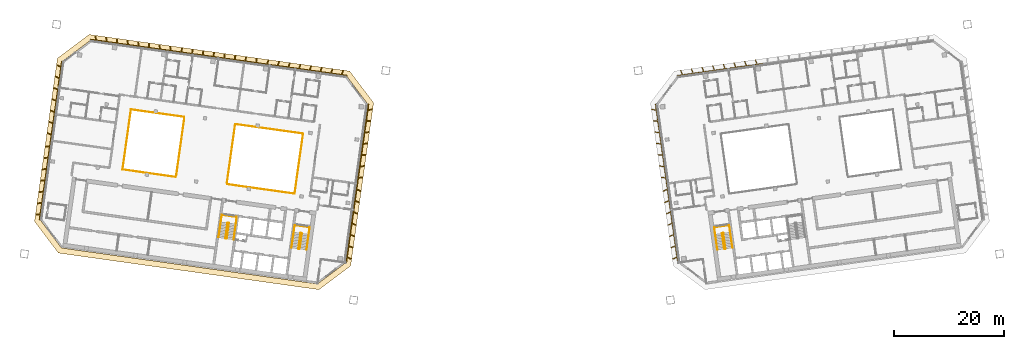
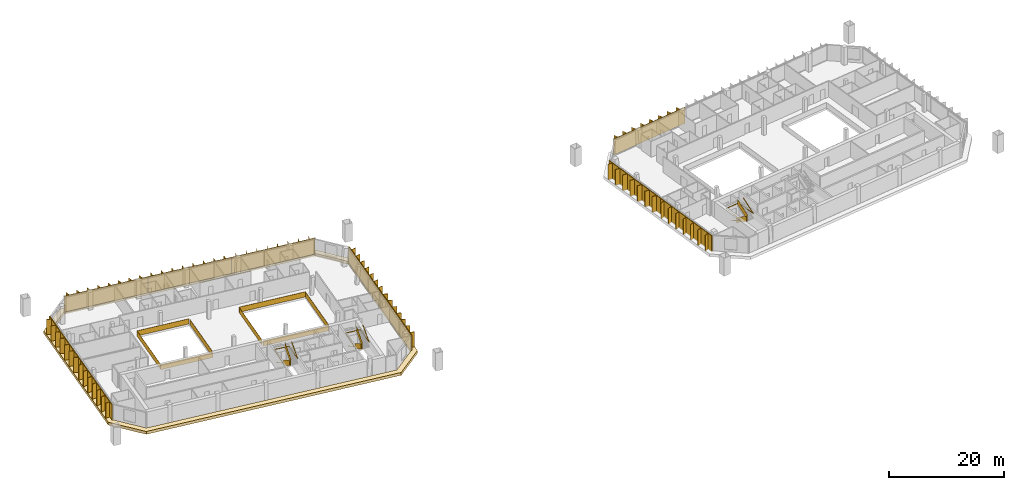
# One storey, part 21 of 22: 10 railings, 10 shading devices, 1 covering.
"""IFC4 building model written with IfcOpenShell, lengths in metres."""

from ifc_helpers import new_model, si_unit, direction, frame, origin, origin_2d, place, context, subcontext, project, spatial, polyline, rectangle, outline, extrude, material, layer, layer_set, type_object, element, save


model = new_model("IFC4")

# Units and contexts
model_context = context("Model", 3, precision=1e-05, world=origin(), true_north=direction((0.0, 1.0)))
body_context = subcontext(model_context, "Body", "Model", "MODEL_VIEW")
ifc_project = project(units=[si_unit("LENGTHUNIT", "METRE"), si_unit("AREAUNIT", "SQUARE_METRE"), si_unit("VOLUMEUNIT", "CUBIC_METRE"), si_unit("PLANEANGLEUNIT", "RADIAN"), si_unit("MASSUNIT", "GRAM", prefix="KILO")], contexts=[model_context])

# Site, building, storey
site_placement = place(None, origin())
site = spatial("IfcSite", under=ifc_project, at=site_placement, CompositionType="ELEMENT")
building_placement = place(site_placement, origin())
building = spatial("IfcBuilding", under=site, at=building_placement, Name="Mirante Cascada Hotel Towers", CompositionType="ELEMENT")
storey_placement = place(building_placement, frame((0.0, 0.0, 191.6)))
storey = spatial("IfcBuildingStorey", under=building, at=storey_placement, Name="L45", CompositionType="ELEMENT", Elevation=191.6)

# Railings
ifc_material_1 = material(Name="Toughened glass with stainless steel handrail", Category="steel")
railing_type_1 = type_object("IfcRailingType", Name="Atrium guard 1100 glass balustrade", PredefinedType="GUARDRAIL", material=ifc_material_1)
railing_1_placement = place(storey_placement, frame((-50.1128, 8.5014, 0.0)))
element("IfcRailing", 1, at=railing_1_placement, inside=storey, type_object=railing_type_1, Name="GUARD 1-L45-1", PredefinedType="GUARDRAIL", context=body_context, shape_type="SweptSolid", body=[
    extrude(rectangle(XDim=0.048, YDim=0.048, at=origin_2d()), frame((0.0, 0.0, 1.076), z_axis=(0.9902677, -0.139176, 0.0), x_axis=(0.139176, 0.9902677, 0.0)), (0.0, 0.0, 1.0), 12.3786),
    extrude(rectangle(XDim=0.02, YDim=1.052, at=origin_2d()), frame((0.0, 0.0, 0.526), z_axis=(0.9902677, -0.139176, 0.0), x_axis=(0.139176, 0.9902677, 0.0)), (0.0, 0.0, 1.0), 12.3786),
    extrude(rectangle(XDim=0.048, YDim=0.048, at=origin_2d()), frame((12.2581, -1.7228, 1.076), z_axis=(-0.1391721, -0.9902682, 0.0), x_axis=(0.9902682, -0.1391721, 0.0)), (0.0, 0.0, 1.0), 11.0001),
    extrude(rectangle(XDim=0.02, YDim=1.052, at=origin_2d()), frame((12.2581, -1.7228, 0.526), z_axis=(-0.1391721, -0.9902682, 0.0), x_axis=(0.9902682, -0.1391721, 0.0)), (0.0, 0.0, 1.0), 11.0001),
    extrude(rectangle(XDim=0.048, YDim=0.048, at=origin_2d()), frame((10.7272, -12.6158, 1.076), z_axis=(-0.9902677, 0.139176, 0.0), x_axis=(-0.139176, -0.9902677, 0.0)), (0.0, 0.0, 1.0), 12.3786),
    extrude(rectangle(XDim=0.02, YDim=1.052, at=origin_2d()), frame((10.7272, -12.6158, 0.526), z_axis=(-0.9902677, 0.139176, 0.0), x_axis=(-0.139176, -0.9902677, 0.0)), (0.0, 0.0, 1.0), 12.3786),
])
railing_2_placement = place(storey_placement, frame((-60.9263, -1.087, 0.0)))
element("IfcRailing", 2, at=railing_2_placement, inside=storey, type_object=railing_type_1, Name="GUARD 1-L45-2", PredefinedType="GUARDRAIL", context=body_context, shape_type="SweptSolid", body=[
    extrude(rectangle(XDim=0.048, YDim=0.048, at=origin_2d()), frame((0.0, 0.0, 1.076), z_axis=(-0.990268, 0.1391733, 0.0), x_axis=(-0.1391733, -0.990268, 0.0)), (0.0, 0.0, 1.0), 9.7476),
    extrude(rectangle(XDim=0.02, YDim=1.052, at=origin_2d()), frame((0.0, 0.0, 0.526), z_axis=(-0.990268, 0.1391733, 0.0), x_axis=(-0.1391733, -0.990268, 0.0)), (0.0, 0.0, 1.0), 9.7476),
    extrude(rectangle(XDim=0.048, YDim=0.048, at=origin_2d()), frame((-9.6527, 1.3566, 1.076), z_axis=(0.1391733, 0.990268, 0.0), x_axis=(-0.990268, 0.1391733, 0.0)), (0.0, 0.0, 1.0), 11.0),
    extrude(rectangle(XDim=0.02, YDim=1.052, at=origin_2d()), frame((-9.6527, 1.3566, 0.526), z_axis=(0.1391733, 0.990268, 0.0), x_axis=(-0.990268, 0.1391733, 0.0)), (0.0, 0.0, 1.0), 11.0),
    extrude(rectangle(XDim=0.048, YDim=0.048, at=origin_2d()), frame((-8.1218, 12.2495, 1.076), z_axis=(0.990268, -0.1391733, 0.0), x_axis=(0.1391733, 0.990268, 0.0)), (0.0, 0.0, 1.0), 9.7476),
    extrude(rectangle(XDim=0.02, YDim=1.052, at=origin_2d()), frame((-8.1218, 12.2495, 0.526), z_axis=(0.990268, -0.1391733, 0.0), x_axis=(0.1391733, 0.990268, 0.0)), (0.0, 0.0, 1.0), 9.7476),
])
railing_3_placement = place(storey_placement, frame((-60.8366, -0.801, 0.0)))
element("IfcRailing", 3, at=railing_3_placement, inside=storey, type_object=railing_type_1, Name="GUARD 1-L45-3", PredefinedType="GUARDRAIL", context=body_context, shape_type="SweptSolid", body=[
    extrude(rectangle(XDim=0.048, YDim=0.048, at=origin_2d()), frame((0.0, 0.0, 1.076), z_axis=(0.1391734, 0.990268, 0.0), x_axis=(-0.990268, 0.1391734, 0.0)), (0.0, 0.0, 1.0), 10.4086),
    extrude(rectangle(XDim=0.02, YDim=1.052, at=origin_2d()), frame((0.0, 0.0, 0.526), z_axis=(0.1391734, 0.990268, 0.0), x_axis=(-0.990268, 0.1391734, 0.0)), (0.0, 0.0, 1.0), 10.4086),
])
railing_4_placement = place(storey_placement, frame((-50.2025, 8.2154, 0.0)))
element("IfcRailing", 4, at=railing_4_placement, inside=storey, type_object=railing_type_1, Name="GUARD 1-L45-4", PredefinedType="GUARDRAIL", context=body_context, shape_type="SweptSolid", body=[
    extrude(rectangle(XDim=0.048, YDim=0.048, at=origin_2d()), frame((0.0, 0.0, 1.076), z_axis=(-0.1391721, -0.9902682, 0.0), x_axis=(0.9902682, -0.1391721, 0.0)), (0.0, 0.0, 1.0), 10.4087),
    extrude(rectangle(XDim=0.02, YDim=1.052, at=origin_2d()), frame((0.0, 0.0, 0.526), z_axis=(-0.1391721, -0.9902682, 0.0), x_axis=(0.9902682, -0.1391721, 0.0)), (0.0, 0.0, 1.0), 10.4087),
])

# Covering
ifc_material_2 = material(Name="Precast concrete C40/50 white", Category="concrete")
ifc_layer = layer(ifc_material_2, 0.6)
ifc_layer_set = layer_set([ifc_layer], Name="Precast concrete SUNSHADE band 1000x600")
covering_type = type_object("IfcCoveringType", Name="Precast concrete SUNSHADE band 1000x600", PredefinedType="CLADDING", material=ifc_layer_set)
covering_placement = place(storey_placement, frame((0.0, 0.0, -0.45)))
element("IfcCovering", 5, at=covering_placement, inside=storey, type_object=covering_type, Name="Precast concrete SUNSHADE band T1 L45", PredefinedType="CLADDING", context=body_context, shape_type="SweptSolid", body=[
    extrude(outline(polyline([(-86.5404, -9.1145), (-82.3891, 20.4236), (-76.645, 24.7521), (-29.4117, 18.1139), (-25.0832, 12.3698), (-29.2345, -17.1684), (-34.9786, -21.4969), (-82.2119, -14.8586), (-86.5404, -9.1145)]), holes=[polyline([(-26.1311, 12.0988), (-29.961, 17.1812), (-76.374, 23.7042), (-81.4565, 19.8742), (-85.4925, -8.8435), (-81.6626, -13.926), (-35.2496, -20.4489), (-30.1671, -16.619), (-26.1311, 12.0988)])]), origin(), (0.0, 0.0, 1.0), 0.6),
])

# Railings
ifc_material_3 = material(Name="Painted steel", Category="steel")
railing_type_2 = type_object("IfcRailingType", Name="Stair guard 1100 steel balustrade", PredefinedType="GUARDRAIL", material=ifc_material_3)
railing_5_placement = place(storey_placement, frame((-38.1178, -11.2603, 0.0)))
element("IfcRailing", 6, at=railing_5_placement, inside=storey, type_object=railing_type_2, Name="L45 ST1-A stair guard 1", PredefinedType="GUARDRAIL", context=body_context, shape_type="SweptSolid", body=[
    extrude(rectangle(XDim=0.048, YDim=0.048, at=origin_2d()), frame((0.0, 0.0, 1.076), z_axis=(-0.9903326, 0.1387133, 0.0), x_axis=(-0.1387133, -0.9903326, 0.0)), (0.0, 0.0, 1.0), 0.1499),
    extrude(rectangle(XDim=0.02, YDim=1.052, at=origin_2d()), frame((0.0, 0.0, 0.526), z_axis=(-0.9903326, 0.1387133, 0.0), x_axis=(-0.1387133, -0.9903326, 0.0)), (0.0, 0.0, 1.0), 0.1499),
    extrude(rectangle(XDim=0.048, YDim=0.048, at=origin_2d()), frame((-0.1485, 0.0208, 1.076), z_axis=(-0.7991505, -0.6011309, 0.0), x_axis=(0.6011309, -0.7991505, 0.0)), (0.0, 0.9254529, 0.3788627), 0.1866),
    extrude(rectangle(XDim=0.02, YDim=1.052, at=origin_2d()), frame((-0.1485, 0.0208, 0.526), z_axis=(-0.7991505, -0.6011309, 0.0), x_axis=(0.6011309, -0.7991505, 0.0)), (0.0, 0.9254529, 0.3788627), 0.1866),
    extrude(rectangle(XDim=0.048, YDim=0.048, at=origin_2d()), frame((-0.205, -0.0217, 1.2487), z_axis=(-0.139176, -0.9902677, 0.0), x_axis=(0.9902677, -0.139176, 0.0)), (0.0, 0.5250212, 0.8510891), 3.29),
    extrude(rectangle(XDim=0.02, YDim=1.052, at=origin_2d()), frame((-0.205, -0.0217, 0.6987), z_axis=(-0.139176, -0.9902677, 0.0), x_axis=(0.9902677, -0.139176, 0.0)), (0.0, 0.5250212, 0.8510891), 3.29),
    extrude(rectangle(XDim=0.048, YDim=0.048, at=origin_2d()), frame((-0.5947, -2.7945, 2.976), z_axis=(0.9270311, -0.3749843, 0.0), x_axis=(0.3749843, 0.9270311, 0.0)), (0.0, 0.0, 1.0), 0.2061),
    extrude(rectangle(XDim=0.02, YDim=1.052, at=origin_2d()), frame((-0.5947, -2.7945, 2.426), z_axis=(0.9270311, -0.3749843, 0.0), x_axis=(0.3749843, 0.9270311, 0.0)), (0.0, 0.0, 1.0), 0.2061),
    extrude(rectangle(XDim=0.048, YDim=0.048, at=origin_2d()), frame((-0.4036, -2.8718, 2.976), z_axis=(-0.9902408, 0.1393672, 0.0), x_axis=(-0.1393672, -0.9902408, 0.0)), (0.0, 0.0, 1.0), 0.15),
    extrude(rectangle(XDim=0.02, YDim=1.052, at=origin_2d()), frame((-0.4036, -2.8718, 2.426), z_axis=(-0.9902408, 0.1393672, 0.0), x_axis=(-0.1393672, -0.9902408, 0.0)), (0.0, 0.0, 1.0), 0.15),
    extrude(rectangle(XDim=0.048, YDim=0.048, at=origin_2d()), frame((-0.5521, -2.8509, 2.976), z_axis=(0.9944948, 0.1047858, 0.0), x_axis=(-0.1047858, 0.9944948, 0.0)), (0.0, 0.6422034, 0.7665343), 0.2689),
    extrude(rectangle(XDim=0.02, YDim=1.052, at=origin_2d()), frame((-0.5521, -2.8509, 2.426), z_axis=(0.9944948, 0.1047858, 0.0), x_axis=(-0.1047858, 0.9944948, 0.0)), (0.0, 0.6422034, 0.7665343), 0.2689),
    extrude(rectangle(XDim=0.048, YDim=0.048, at=origin_2d()), frame((-0.3471, -2.8293, 3.1487), z_axis=(0.139176, 0.9902677, 0.0), x_axis=(-0.9902677, 0.139176, 0.0)), (0.0, 0.5250212, 0.8510891), 3.29),
    extrude(rectangle(XDim=0.02, YDim=1.052, at=origin_2d()), frame((-0.3471, -2.8293, 2.5987), z_axis=(0.139176, 0.9902677, 0.0), x_axis=(-0.9902677, 0.139176, 0.0)), (0.0, 0.5250212, 0.8510891), 3.29),
])
railing_6_placement = place(storey_placement, frame((-51.3379, -9.4024, 0.0)))
element("IfcRailing", 7, at=railing_6_placement, inside=storey, type_object=railing_type_2, Name="L45 ST1-B stair guard 1", PredefinedType="GUARDRAIL", context=body_context, shape_type="SweptSolid", body=[
    extrude(rectangle(XDim=0.048, YDim=0.048, at=origin_2d()), frame((0.0, 0.0, 1.076), z_axis=(-0.9902408, 0.1393672, 0.0), x_axis=(-0.1393672, -0.9902408, 0.0)), (0.0, 0.0, 1.0), 0.15),
    extrude(rectangle(XDim=0.02, YDim=1.052, at=origin_2d()), frame((0.0, 0.0, 0.526), z_axis=(-0.9902408, 0.1393672, 0.0), x_axis=(-0.1393672, -0.9902408, 0.0)), (0.0, 0.0, 1.0), 0.15),
    extrude(rectangle(XDim=0.048, YDim=0.048, at=origin_2d()), frame((-0.1485, 0.0209, 1.076), z_axis=(-0.7984711, -0.6020331, 0.0), x_axis=(0.6020331, -0.7984711, 0.0)), (0.0, 0.9253398, 0.3791387), 0.1866),
    extrude(rectangle(XDim=0.02, YDim=1.052, at=origin_2d()), frame((-0.1485, 0.0209, 0.526), z_axis=(-0.7984711, -0.6020331, 0.0), x_axis=(0.6020331, -0.7984711, 0.0)), (0.0, 0.9253398, 0.3791387), 0.1866),
    extrude(rectangle(XDim=0.048, YDim=0.048, at=origin_2d()), frame((-0.205, -0.0217, 1.2487), z_axis=(-0.139181, -0.990267, 0.0), x_axis=(0.990267, -0.139181, 0.0)), (0.0, 0.5250347, 0.8510808), 3.2899),
    extrude(rectangle(XDim=0.02, YDim=1.052, at=origin_2d()), frame((-0.205, -0.0217, 0.6987), z_axis=(-0.139181, -0.990267, 0.0), x_axis=(0.990267, -0.139181, 0.0)), (0.0, 0.5250347, 0.8510808), 3.2899),
    extrude(rectangle(XDim=0.048, YDim=0.048, at=origin_2d()), frame((-0.5947, -2.7944, 2.976), z_axis=(0.9268624, -0.3754011, 0.0), x_axis=(0.3754011, 0.9268624, 0.0)), (0.0, 0.0, 1.0), 0.2062),
    extrude(rectangle(XDim=0.02, YDim=1.052, at=origin_2d()), frame((-0.5947, -2.7944, 2.426), z_axis=(0.9268624, -0.3754011, 0.0), x_axis=(0.3754011, 0.9268624, 0.0)), (0.0, 0.0, 1.0), 0.2062),
    extrude(rectangle(XDim=0.048, YDim=0.048, at=origin_2d()), frame((-0.4036, -2.8718, 2.976), z_axis=(-0.9902408, 0.1393672, 0.0), x_axis=(-0.1393672, -0.9902408, 0.0)), (0.0, 0.0, 1.0), 0.15),
    extrude(rectangle(XDim=0.02, YDim=1.052, at=origin_2d()), frame((-0.4036, -2.8718, 2.426), z_axis=(-0.9902408, 0.1393672, 0.0), x_axis=(-0.1393672, -0.9902408, 0.0)), (0.0, 0.0, 1.0), 0.15),
    extrude(rectangle(XDim=0.048, YDim=0.048, at=origin_2d()), frame((-0.5521, -2.8509, 2.976), z_axis=(0.9944441, 0.1052656, 0.0), x_axis=(-0.1052656, 0.9944441, 0.0)), (0.0, 0.6421842, 0.7665504), 0.2689),
    extrude(rectangle(XDim=0.02, YDim=1.052, at=origin_2d()), frame((-0.5521, -2.8509, 2.426), z_axis=(0.9944441, 0.1052656, 0.0), x_axis=(-0.1052656, 0.9944441, 0.0)), (0.0, 0.6421842, 0.7665504), 0.2689),
    extrude(rectangle(XDim=0.048, YDim=0.048, at=origin_2d()), frame((-0.3471, -2.8292, 3.1487), z_axis=(0.139181, 0.990267, 0.0), x_axis=(-0.990267, 0.139181, 0.0)), (0.0, 0.5250347, 0.8510808), 3.2899),
    extrude(rectangle(XDim=0.02, YDim=1.052, at=origin_2d()), frame((-0.3471, -2.8292, 2.5987), z_axis=(0.139181, 0.990267, 0.0), x_axis=(-0.990267, 0.139181, 0.0)), (0.0, 0.5250347, 0.8510808), 3.2899),
])
railing_7_placement = place(storey_placement, frame((38.2663, -11.2395, 0.0)))
element("IfcRailing", 8, at=railing_7_placement, inside=storey, type_object=railing_type_2, Name="L45 ST2-A stair guard 1", PredefinedType="GUARDRAIL", context=body_context, shape_type="SweptSolid", body=[
    extrude(rectangle(XDim=0.048, YDim=0.048, at=origin_2d()), frame((0.0, 0.0, 1.076), z_axis=(-0.9903326, -0.1387133, 0.0), x_axis=(0.1387133, -0.9903326, 0.0)), (0.0, 0.0, 1.0), 0.1499),
    extrude(rectangle(XDim=0.02, YDim=1.052, at=origin_2d()), frame((0.0, 0.0, 0.526), z_axis=(-0.9903326, -0.1387133, 0.0), x_axis=(0.1387133, -0.9903326, 0.0)), (0.0, 0.0, 1.0), 0.1499),
    extrude(rectangle(XDim=0.048, YDim=0.048, at=origin_2d()), frame((-0.1485, -0.0208, 1.076), z_axis=(-0.6020331, -0.7984711, 0.0), x_axis=(0.7984711, -0.6020331, 0.0)), (0.0, 0.9253398, 0.3791387), 0.1866),
    extrude(rectangle(XDim=0.02, YDim=1.052, at=origin_2d()), frame((-0.1485, -0.0208, 0.526), z_axis=(-0.6020331, -0.7984711, 0.0), x_axis=(0.7984711, -0.6020331, 0.0)), (0.0, 0.9253398, 0.3791387), 0.1866),
    extrude(rectangle(XDim=0.048, YDim=0.048, at=origin_2d()), frame((-0.1911, -0.0773, 1.2487), z_axis=(0.139176, -0.9902677, 0.0), x_axis=(0.9902677, 0.139176, 0.0)), (0.0, 0.5250212, 0.8510891), 3.29),
    extrude(rectangle(XDim=0.02, YDim=1.052, at=origin_2d()), frame((-0.1911, -0.0773, 0.6987), z_axis=(0.139176, -0.9902677, 0.0), x_axis=(0.9902677, 0.139176, 0.0)), (0.0, 0.5250212, 0.8510891), 3.29),
    extrude(rectangle(XDim=0.048, YDim=0.048, at=origin_2d()), frame((0.1986, -2.8501, 2.976), z_axis=(0.9944948, -0.1047858, 0.0), x_axis=(0.1047858, 0.9944948, 0.0)), (0.0, 0.0, 1.0), 0.2061),
    extrude(rectangle(XDim=0.02, YDim=1.052, at=origin_2d()), frame((0.1986, -2.8501, 2.426), z_axis=(0.9944948, -0.1047858, 0.0), x_axis=(0.1047858, 0.9944948, 0.0)), (0.0, 0.0, 1.0), 0.2061),
    extrude(rectangle(XDim=0.048, YDim=0.048, at=origin_2d()), frame((0.4036, -2.8717, 2.976), z_axis=(-0.9902408, -0.1393672, 0.0), x_axis=(0.1393672, -0.9902408, 0.0)), (0.0, 0.0, 1.0), 0.15),
    extrude(rectangle(XDim=0.02, YDim=1.052, at=origin_2d()), frame((0.4036, -2.8717, 2.426), z_axis=(-0.9902408, -0.1393672, 0.0), x_axis=(0.1393672, -0.9902408, 0.0)), (0.0, 0.0, 1.0), 0.15),
    extrude(rectangle(XDim=0.048, YDim=0.048, at=origin_2d()), frame((0.2551, -2.8926, 2.976), z_axis=(0.9270311, 0.3749843, 0.0), x_axis=(-0.3749843, 0.9270311, 0.0)), (0.0, 0.6421903, 0.7665452), 0.2689),
    extrude(rectangle(XDim=0.02, YDim=1.052, at=origin_2d()), frame((0.2551, -2.8926, 2.426), z_axis=(0.9270311, 0.3749843, 0.0), x_axis=(-0.3749843, 0.9270311, 0.0)), (0.0, 0.6421903, 0.7665452), 0.2689),
    extrude(rectangle(XDim=0.048, YDim=0.048, at=origin_2d()), frame((0.4462, -2.8153, 3.1487), z_axis=(-0.139176, 0.9902677, 0.0), x_axis=(-0.9902677, -0.139176, 0.0)), (0.0, 0.5250212, 0.8510891), 3.29),
    extrude(rectangle(XDim=0.02, YDim=1.052, at=origin_2d()), frame((0.4462, -2.8153, 2.5987), z_axis=(-0.139176, 0.9902677, 0.0), x_axis=(-0.9902677, -0.139176, 0.0)), (0.0, 0.5250212, 0.8510891), 3.29),
])
ifc_material_4 = material(Name="Painted steel", Category="steel")
railing_type_3 = type_object("IfcRailingType", Name="Stair handrail 900 steel tube", PredefinedType="HANDRAIL", material=ifc_material_4)
railing_8_placement = place(storey_placement, frame((-39.5606, -11.1081, 0.1727)))
element("IfcRailing", 9, at=railing_8_placement, inside=storey, type_object=railing_type_3, Name="L45 ST1-A stair handrail 1", PredefinedType="HANDRAIL", context=body_context, shape_type="SweptSolid", body=[
    extrude(rectangle(XDim=0.048, YDim=0.048, at=origin_2d()), frame((0.0, 0.0, 0.876), z_axis=(-0.139181, -0.990267, 0.0), x_axis=(0.990267, -0.139181, 0.0)), (0.0, 0.5250347, 0.8510808), 3.2899),
    extrude(rectangle(XDim=0.048, YDim=0.048, at=origin_2d()), frame((-0.3897, -2.7727, 2.6033), z_axis=(0.1391707, 0.9902684, 0.0), x_axis=(-0.9902684, 0.1391707, 0.0)), (0.0, 0.0420846, 0.999114), 4.1036),
    extrude(rectangle(XDim=0.048, YDim=0.048, at=origin_2d()), frame((0.1809, 1.2874, 2.776), z_axis=(0.9902691, -0.1391657, 0.0), x_axis=(0.1391657, 0.9902691, 0.0)), (0.0, 0.0, 1.0), 2.75),
    extrude(rectangle(XDim=0.048, YDim=0.048, at=origin_2d()), frame((2.9041, 0.9047, 2.776), z_axis=(-0.1391707, -0.9902684, 0.0), x_axis=(0.9902684, -0.1391707, 0.0)), (0.0, 0.0, 1.0), 4.1),
    extrude(rectangle(XDim=0.048, YDim=0.048, at=origin_2d()), frame((2.3335, -3.1554, 2.776), z_axis=(0.139181, 0.990267, 0.0), x_axis=(-0.990267, 0.139181, 0.0)), (0.0, 0.5250347, 0.8510808), 3.2899),
])
railing_9_placement = place(storey_placement, frame((-52.7807, -9.2501, 0.1727)))
element("IfcRailing", 10, at=railing_9_placement, inside=storey, type_object=railing_type_3, Name="L45 ST1-B stair handrail 1", PredefinedType="HANDRAIL", context=body_context, shape_type="SweptSolid", body=[
    extrude(rectangle(XDim=0.048, YDim=0.048, at=origin_2d()), frame((0.0, 0.0, 0.876), z_axis=(-0.139181, -0.990267, 0.0), x_axis=(0.990267, -0.139181, 0.0)), (0.0, 0.5250347, 0.8510808), 3.2899),
    extrude(rectangle(XDim=0.048, YDim=0.048, at=origin_2d()), frame((-0.3897, -2.7727, 2.6033), z_axis=(0.1391707, 0.9902684, 0.0), x_axis=(-0.9902684, 0.1391707, 0.0)), (0.0, 0.0420846, 0.999114), 4.1036),
    extrude(rectangle(XDim=0.048, YDim=0.048, at=origin_2d()), frame((0.1809, 1.2874, 2.776), z_axis=(0.9902641, -0.1392013, 0.0), x_axis=(0.1392013, 0.9902641, 0.0)), (0.0, 0.0, 1.0), 2.75),
    extrude(rectangle(XDim=0.048, YDim=0.048, at=origin_2d()), frame((2.9041, 0.9046, 2.776), z_axis=(-0.1391707, -0.9902684, 0.0), x_axis=(0.9902684, -0.1391707, 0.0)), (0.0, 0.0, 1.0), 4.1),
    extrude(rectangle(XDim=0.048, YDim=0.048, at=origin_2d()), frame((2.3335, -3.1555, 2.776), z_axis=(0.139176, 0.9902677, 0.0), x_axis=(-0.9902677, 0.139176, 0.0)), (0.0, 0.5250212, 0.8510891), 3.29),
])
railing_10_placement = place(storey_placement, frame((36.8374, -11.4908, 0.1727)))
element("IfcRailing", 11, at=railing_10_placement, inside=storey, type_object=railing_type_3, Name="L45 ST2-A stair handrail 1", PredefinedType="HANDRAIL", context=body_context, shape_type="SweptSolid", body=[
    extrude(rectangle(XDim=0.048, YDim=0.048, at=origin_2d()), frame((0.0, 0.0, 0.876), z_axis=(0.139181, -0.990267, 0.0), x_axis=(0.990267, 0.139181, 0.0)), (0.0, 0.5250347, 0.8510808), 3.2899),
    extrude(rectangle(XDim=0.048, YDim=0.048, at=origin_2d()), frame((0.3897, -2.7727, 2.6033), z_axis=(-0.1391707, 0.9902684, 0.0), x_axis=(-0.9902684, -0.1391707, 0.0)), (0.0, 0.0420846, 0.999114), 4.1036),
    extrude(rectangle(XDim=0.048, YDim=0.048, at=origin_2d()), frame((-0.1809, 1.2874, 2.776), z_axis=(0.9902691, 0.1391657, 0.0), x_axis=(-0.1391657, 0.9902691, 0.0)), (0.0, 0.0, 1.0), 2.75),
    extrude(rectangle(XDim=0.048, YDim=0.048, at=origin_2d()), frame((2.5423, 1.6701, 2.776), z_axis=(0.1391707, -0.9902684, 0.0), x_axis=(0.9902684, 0.1391707, 0.0)), (0.0, 0.0, 1.0), 4.1),
    extrude(rectangle(XDim=0.048, YDim=0.048, at=origin_2d()), frame((3.1129, -2.39, 2.776), z_axis=(-0.139181, 0.990267, 0.0), x_axis=(-0.990267, -0.139181, 0.0)), (0.0, 0.5250347, 0.8510808), 3.2899),
])

# Shading devices
ifc_material_5 = material(Name="White precast concrete C50/60 fin", Category="concrete")
shading_device_type = type_object("IfcShadingDeviceType", Name="Vertical fin set 4500x900", PredefinedType="USERDEFINED", material=ifc_material_5)
shading_device_1_placement = place(storey_placement, origin())
element("IfcShadingDevice", 12, at=shading_device_1_placement, inside=storey, type_object=shading_device_type, Name="FIN T1 L45 front 1", ObjectType="FIN", PredefinedType="USERDEFINED", context=body_context, shape_type="SweptSolid", body=[
    extrude(outline(polyline([(-61.8213, 21.8104), (-60.8821, 21.6784), (-60.903, 21.5299), (-76.374, 23.7042), (-76.3531, 23.8527), (-75.4404, 23.7244), (-75.5425, 24.5557), (-75.4631, 24.5655), (-75.3584, 23.7129), (-73.5066, 23.4526), (-73.6086, 24.2839), (-73.5292, 24.2937), (-73.4246, 23.4411), (-71.5727, 23.1809), (-71.6748, 24.0121), (-71.5954, 24.0219), (-71.4907, 23.1693), (-69.6388, 22.9091), (-69.7409, 23.7403), (-69.6615, 23.7501), (-69.5568, 22.8975), (-67.705, 22.6373), (-67.807, 23.4686), (-67.7276, 23.4783), (-67.6229, 22.6258), (-65.7711, 22.3655), (-65.8731, 23.1968), (-65.7937, 23.2065), (-65.6891, 22.354), (-63.8372, 22.0937), (-63.9393, 22.925), (-63.8599, 22.9347), (-63.7552, 22.0822), (-61.9033, 21.8219), (-62.0054, 22.6532), (-61.926, 22.6629), (-61.8213, 21.8104)])), origin(), (0.0, 0.0, 1.0), 3.35),
])
shading_device_2_placement = place(storey_placement, origin())
element("IfcShadingDevice", 13, at=shading_device_2_placement, inside=storey, type_object=shading_device_type, Name="FIN T1 L45 front 2", ObjectType="FIN", PredefinedType="USERDEFINED", context=body_context, shape_type="SweptSolid", body=[
    extrude(outline(polyline([(-46.3385, 19.6344), (-45.4111, 19.5041), (-45.432, 19.3556), (-60.903, 21.5299), (-60.8821, 21.6784), (-59.9548, 21.5481), (-59.8365, 22.3898), (-59.7573, 22.3787), (-59.8756, 21.5369), (-58.0209, 21.2763), (-57.9026, 22.118), (-57.8234, 22.1069), (-57.9417, 21.2651), (-56.087, 21.0045), (-55.9687, 21.8462), (-55.8895, 21.8351), (-56.0078, 20.9934), (-54.1532, 20.7327), (-54.0349, 21.5744), (-53.9557, 21.5633), (-54.074, 20.7216), (-52.2193, 20.4609), (-52.101, 21.3026), (-52.0218, 21.2915), (-52.1401, 20.4498), (-50.2854, 20.1891), (-50.1671, 21.0309), (-50.0879, 21.0197), (-50.2062, 20.178), (-48.3516, 19.9173), (-48.2333, 20.7591), (-48.154, 20.7479), (-48.2723, 19.9062), (-46.4177, 19.6456), (-46.2994, 20.4873), (-46.2202, 20.4761), (-46.3385, 19.6344)])), origin(), (0.0, 0.0, 1.0), 3.35),
])
shading_device_3_placement = place(storey_placement, origin())
element("IfcShadingDevice", 14, at=shading_device_3_placement, inside=storey, type_object=shading_device_type, Name="FIN T1 L45 front 3", ObjectType="FIN", PredefinedType="USERDEFINED", context=body_context, shape_type="SweptSolid", body=[
    extrude(outline(polyline([(-30.8528, 17.4581), (-29.9401, 17.3298), (-29.961, 17.1812), (-45.432, 19.3556), (-45.4111, 19.5041), (-44.4719, 19.3721), (-44.1363, 20.1628), (-44.0627, 20.1315), (-44.3899, 19.3606), (-42.5381, 19.1003), (-42.2024, 19.891), (-42.1288, 19.8597), (-42.456, 19.0888), (-40.6042, 18.8285), (-40.2686, 19.6192), (-40.1949, 19.5879), (-40.5222, 18.817), (-38.6703, 18.5567), (-38.3347, 19.3474), (-38.2611, 19.3161), (-38.5883, 18.5452), (-36.7364, 18.2849), (-36.4008, 19.0756), (-36.3272, 19.0444), (-36.6544, 18.2734), (-34.8026, 18.0132), (-34.467, 18.8038), (-34.3933, 18.7726), (-34.7206, 18.0016), (-32.8687, 17.7414), (-32.5331, 18.532), (-32.4594, 18.5008), (-32.7867, 17.7298), (-30.9348, 17.4696), (-30.5992, 18.2603), (-30.5256, 18.229), (-30.8528, 17.4581)])), origin(), (0.0, 0.0, 1.0), 3.35),
])
shading_device_4_placement = place(storey_placement, origin())
element("IfcShadingDevice", 15, at=shading_device_4_placement, inside=storey, type_object=shading_device_type, Name="FIN T1 L45 inner 1", ObjectType="FIN", PredefinedType="USERDEFINED", context=body_context, shape_type="SweptSolid", body=[
    extrude(outline(polyline([(-27.8603, -1.2831), (-28.0006, -2.281), (-28.1491, -2.2601), (-26.1311, 12.0988), (-25.9826, 12.0779), (-26.1191, 11.1065), (-25.2878, 11.2086), (-25.278, 11.1292), (-26.1306, 11.0245), (-26.4074, 9.0553), (-25.5761, 9.1573), (-25.5663, 9.0779), (-26.4189, 8.9732), (-26.6956, 7.004), (-25.8644, 7.1061), (-25.8546, 7.0267), (-26.7072, 6.922), (-26.9839, 4.9527), (-26.1527, 5.0548), (-26.1429, 4.9754), (-26.9955, 4.8707), (-27.2722, 2.9014), (-26.4409, 3.0035), (-26.4312, 2.9241), (-27.2837, 2.8194), (-27.5605, 0.8502), (-26.7292, 0.9522), (-26.7195, 0.8728), (-27.572, 0.7682), (-27.8488, -1.2011), (-27.0175, -1.099), (-27.0078, -1.1784), (-27.8603, -1.2831)])), origin(), (0.0, 0.0, 1.0), 3.35),
])
shading_device_5_placement = place(storey_placement, origin())
element("IfcShadingDevice", 16, at=shading_device_5_placement, inside=storey, type_object=shading_device_type, Name="FIN T1 L45 inner 2", ObjectType="FIN", PredefinedType="USERDEFINED", context=body_context, shape_type="SweptSolid", body=[
    extrude(outline(polyline([(-29.8821, -15.6685), (-30.0186, -16.6399), (-30.1671, -16.619), (-28.1491, -2.2601), (-28.0006, -2.281), (-28.1408, -3.2789), (-27.3501, -3.6145), (-27.3814, -3.6882), (-28.1523, -3.3609), (-28.4291, -5.3302), (-27.6384, -5.6658), (-27.6697, -5.7394), (-28.4406, -5.4122), (-28.7174, -7.3814), (-27.9267, -7.7171), (-27.958, -7.7907), (-28.7289, -7.4635), (-29.0057, -9.4327), (-28.215, -9.7683), (-28.2463, -9.842), (-29.0172, -9.5147), (-29.294, -11.484), (-28.5033, -11.8196), (-28.5345, -11.8932), (-29.3055, -11.566), (-29.5822, -13.5352), (-28.7916, -13.8709), (-28.8228, -13.9445), (-29.5938, -13.6173), (-29.8705, -15.5865), (-29.0799, -15.9221), (-29.1111, -15.9958), (-29.8821, -15.6685)])), origin(), (0.0, 0.0, 1.0), 3.35),
])
shading_device_6_placement = place(storey_placement, origin())
element("IfcShadingDevice", 17, at=shading_device_6_placement, inside=storey, type_object=shading_device_type, Name="FIN T1 L45 outer 1", ObjectType="FIN", PredefinedType="USERDEFINED", context=body_context, shape_type="SweptSolid", body=[
    extrude(outline(polyline([(-85.493, -7.7693), (-85.2162, -5.8), (-86.0475, -5.9021), (-86.0572, -5.8227), (-85.2047, -5.718), (-84.9279, -3.7488), (-85.7592, -3.8508), (-85.769, -3.7714), (-84.9164, -3.6667), (-84.6396, -1.6975), (-85.4709, -1.7996), (-85.4807, -1.7202), (-84.6281, -1.6155), (-84.3514, 0.3538), (-85.1826, 0.2517), (-85.1924, 0.3311), (-84.3398, 0.4358), (-84.0631, 2.405), (-84.8943, 2.303), (-84.9041, 2.3824), (-84.0515, 2.4871), (-83.7748, 4.4563), (-84.6061, 4.3542), (-84.6158, 4.4336), (-83.7633, 4.5383), (-83.623, 5.5362), (-83.4745, 5.5153), (-85.4925, -8.8435), (-85.641, -8.8227), (-85.5045, -7.8513), (-86.3358, -7.9534), (-86.3455, -7.874), (-85.493, -7.7693)])), origin(), (0.0, 0.0, 1.0), 3.35),
])
shading_device_7_placement = place(storey_placement, origin())
element("IfcShadingDevice", 18, at=shading_device_7_placement, inside=storey, type_object=shading_device_type, Name="FIN T1 L45 outer 2", ObjectType="FIN", PredefinedType="USERDEFINED", context=body_context, shape_type="SweptSolid", body=[
    extrude(outline(polyline([(-83.4712, 6.6161), (-83.1945, 8.5854), (-83.9852, 8.921), (-83.9539, 8.9946), (-83.183, 8.6674), (-82.9062, 10.6367), (-83.6969, 10.9723), (-83.6656, 11.0459), (-82.8947, 10.7187), (-82.6179, 12.6879), (-83.4086, 13.0235), (-83.3773, 13.0972), (-82.6064, 12.7699), (-82.3296, 14.7392), (-83.1203, 15.0748), (-83.089, 15.1485), (-82.3181, 14.8212), (-82.0413, 16.7905), (-82.832, 17.1261), (-82.8007, 17.1997), (-82.0298, 16.8725), (-81.753, 18.8417), (-82.5437, 19.1774), (-82.5125, 19.251), (-81.7415, 18.9238), (-81.605, 19.8951), (-81.4565, 19.8742), (-83.4745, 5.5153), (-83.623, 5.5362), (-83.4828, 6.5341), (-84.2734, 6.8697), (-84.2422, 6.9434), (-83.4712, 6.6161)])), origin(), (0.0, 0.0, 1.0), 3.35),
])
shading_device_8_placement = place(storey_placement, origin())
element("IfcShadingDevice", 19, at=shading_device_8_placement, inside=storey, type_object=shading_device_type, Name="FIN T2 L45 front 3", ObjectType="FIN", PredefinedType="USERDEFINED", context=body_context, shape_type="SweptSolid", body=[
    extrude(outline(polyline([(30.5992, 18.2603), (30.9348, 17.4696), (32.7867, 17.7298), (32.4594, 18.5008), (32.5331, 18.532), (32.8687, 17.7414), (34.7206, 18.0016), (34.3933, 18.7726), (34.467, 18.8038), (34.8026, 18.0132), (36.6544, 18.2734), (36.3272, 19.0444), (36.4008, 19.0756), (36.7364, 18.2849), (38.5883, 18.5452), (38.2611, 19.3161), (38.3347, 19.3474), (38.6703, 18.5567), (40.5222, 18.817), (40.1949, 19.5879), (40.2686, 19.6192), (40.6042, 18.8285), (42.456, 19.0888), (42.1288, 19.8597), (42.2024, 19.891), (42.5381, 19.1003), (44.3899, 19.3606), (44.0627, 20.1315), (44.1363, 20.1628), (44.4719, 19.3721), (45.4111, 19.5041), (45.432, 19.3556), (29.961, 17.1812), (29.9401, 17.3298), (30.8528, 17.4581), (30.5256, 18.229), (30.5992, 18.2603)])), origin(), (0.0, 0.0, 1.0), 3.35),
])
shading_device_9_placement = place(storey_placement, origin())
element("IfcShadingDevice", 20, at=shading_device_9_placement, inside=storey, type_object=shading_device_type, Name="FIN T2 L45 inner 1", ObjectType="FIN", PredefinedType="USERDEFINED", context=body_context, shape_type="SweptSolid", body=[
    extrude(outline(polyline([(27.0175, -1.099), (27.8488, -1.2011), (27.572, 0.7682), (26.7195, 0.8728), (26.7292, 0.9522), (27.5605, 0.8502), (27.2837, 2.8194), (26.4312, 2.9241), (26.4409, 3.0035), (27.2722, 2.9014), (26.9955, 4.8707), (26.1429, 4.9754), (26.1527, 5.0548), (26.9839, 4.9527), (26.7072, 6.922), (25.8546, 7.0267), (25.8644, 7.1061), (26.6956, 7.004), (26.4189, 8.9732), (25.5663, 9.0779), (25.5761, 9.1573), (26.4074, 9.0553), (26.1306, 11.0245), (25.278, 11.1292), (25.2878, 11.2086), (26.1191, 11.1065), (25.9826, 12.0779), (26.1311, 12.0988), (28.1491, -2.2601), (28.0006, -2.281), (27.8603, -1.2831), (27.0078, -1.1784), (27.0175, -1.099)])), origin(), (0.0, 0.0, 1.0), 3.35),
])
shading_device_10_placement = place(storey_placement, origin())
element("IfcShadingDevice", 21, at=shading_device_10_placement, inside=storey, type_object=shading_device_type, Name="FIN T2 L45 inner 2", ObjectType="FIN", PredefinedType="USERDEFINED", context=body_context, shape_type="SweptSolid", body=[
    extrude(outline(polyline([(29.0799, -15.9221), (29.8705, -15.5865), (29.5938, -13.6173), (28.8228, -13.9445), (28.7916, -13.8709), (29.5822, -13.5352), (29.3055, -11.566), (28.5345, -11.8932), (28.5033, -11.8196), (29.294, -11.484), (29.0172, -9.5147), (28.2463, -9.842), (28.215, -9.7683), (29.0057, -9.4327), (28.7289, -7.4635), (27.958, -7.7907), (27.9267, -7.7171), (28.7174, -7.3814), (28.4406, -5.4122), (27.6697, -5.7394), (27.6384, -5.6658), (28.4291, -5.3302), (28.1523, -3.3609), (27.3814, -3.6882), (27.3501, -3.6145), (28.1408, -3.2789), (28.0006, -2.281), (28.1491, -2.2601), (30.1671, -16.619), (30.0186, -16.6399), (29.8821, -15.6685), (29.1111, -15.9958), (29.0799, -15.9221)])), origin(), (0.0, 0.0, 1.0), 3.35),
])

save(model, "model.ifc")
